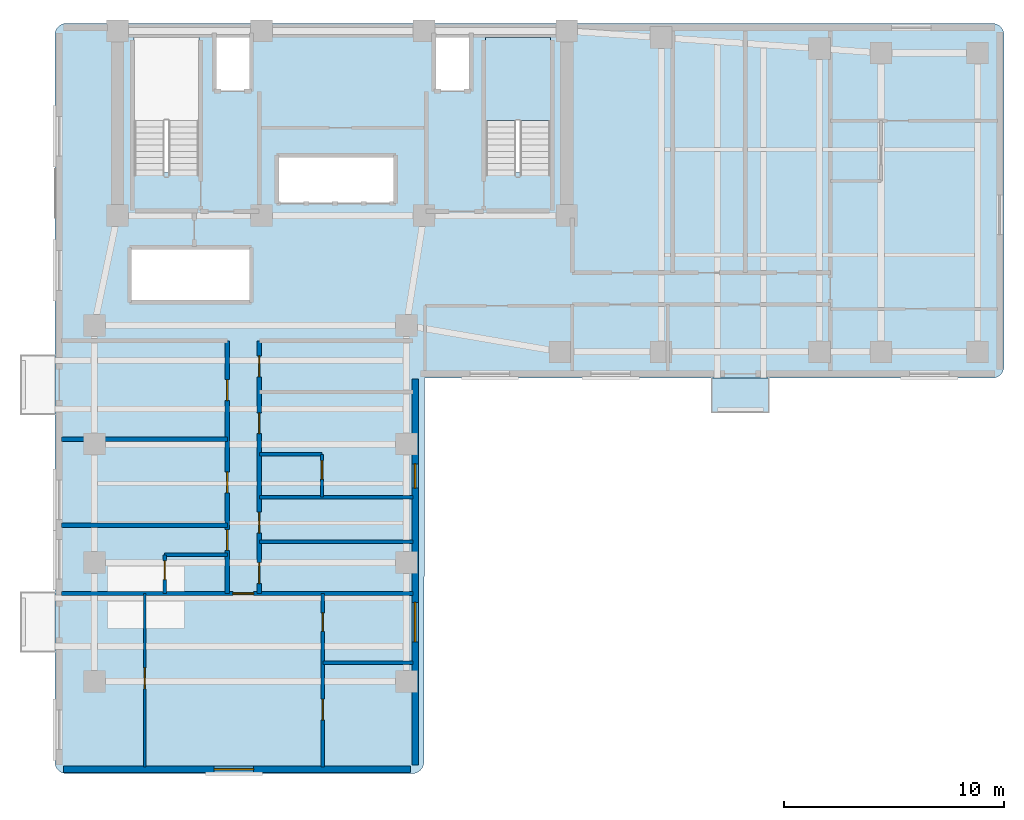
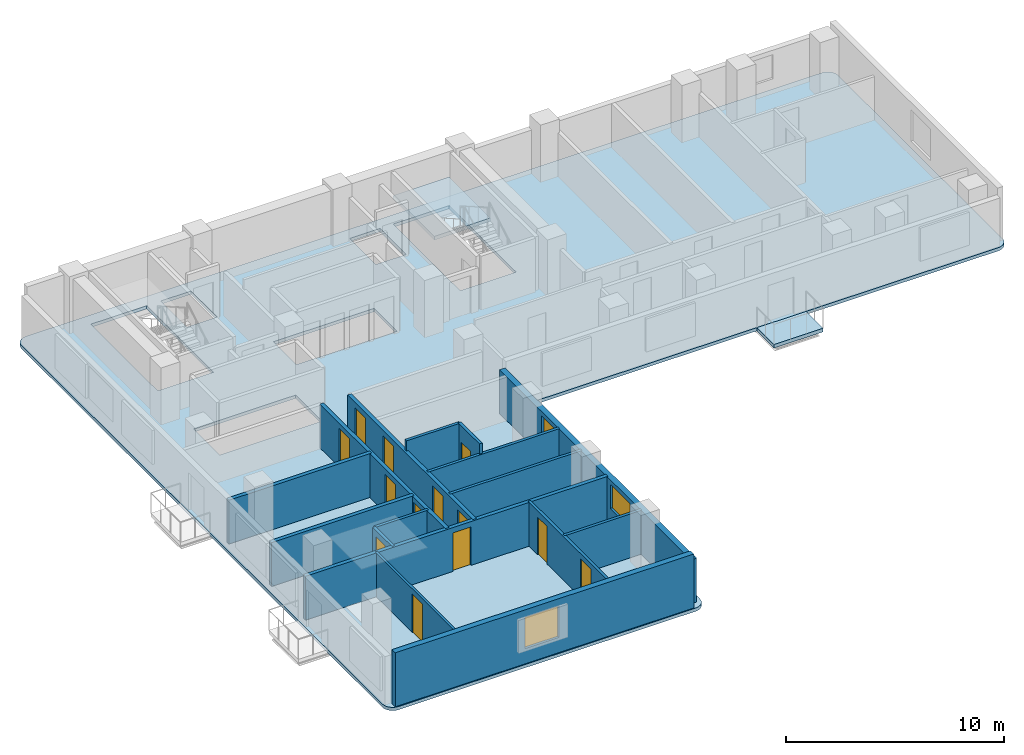
# One storey, part 2 of 7: 16 walls, 13 doors, 3 slabs, 3 windows, 16 openings, 1 element without a shape of its own.
"""IFC4 building model written with IfcOpenShell, lengths in metres."""

from ifc_helpers import new_model, si_unit, direction, frame, frame_2d, origin, place, context, subcontext, project, spatial, polyline, rectangle, outline, extrude, material, layer, layer_set, type_object, element, fill, aggregate, save


model = new_model("IFC4")

# Units and contexts
model_context = context("Model", 3, precision=1e-05, world=origin(), true_north=direction((0.0, 1.0)))
body_context = subcontext(model_context, "Body", "Model", "MODEL_VIEW")
ifc_project = project(units=[si_unit("LENGTHUNIT", "METRE"), si_unit("AREAUNIT", "SQUARE_METRE"), si_unit("VOLUMEUNIT", "CUBIC_METRE"), si_unit("PLANEANGLEUNIT", "RADIAN"), si_unit("MASSUNIT", "GRAM", prefix="KILO")], contexts=[model_context])

# Site, building, storey
site_placement = place(None, origin())
site = spatial("IfcSite", under=ifc_project, at=site_placement, CompositionType="ELEMENT")
building_placement = place(site_placement, origin())
building = spatial("IfcBuilding", under=site, at=building_placement, Name="Kuzgunbayir Cultural Tower", CompositionType="ELEMENT")
storey_placement = place(building_placement, frame((0.0, 0.0, 145.800048828125)))
storey = spatial("IfcBuildingStorey", under=building, at=storey_placement, Name="L42", CompositionType="ELEMENT", Elevation=145.800048828125)

# Slab
ifc_material_1 = material(Name="Concrete C40/50", Category="concrete")
ifc_layer_1 = layer(ifc_material_1, 0.199951171875)
ifc_layer_set_1 = layer_set([ifc_layer_1], Name="Concrete C40/50")
slab_type_1 = type_object("IfcSlabType", Name="SLB-BAL-STONE", PredefinedType="FLOOR", material=ifc_layer_set_1)
slab_1_placement = place(storey_placement, frame((0.0, 0.0, -0.199951171875)))
element("IfcSlab", 1, at=slab_1_placement, inside=storey, type_object=slab_type_1, Name="L42 Projecting Limestone Balcony BAL-L42-WB2", PredefinedType="FLOOR", context=body_context, shape_type="SweptSolid", body=[
    extrude(outline(polyline([(33.5, 24.840087890625), (36.10009765625, 24.840087890625), (36.10009765625, 26.39990234375), (33.5, 26.39990234375), (33.5, 24.840087890625)])), origin(), (0.0, 0.0, 1.0), 0.199951171875),
])

# Stair, slab
stair_type = type_object("IfcStairType", Name="STR-EXIT-CORE", PredefinedType="HALF_TURN_STAIR", material=ifc_material_1)
stair_placement = place(storey_placement, origin())
stair = element("IfcStair", 2, at=stair_placement, inside=storey, type_object=stair_type, Name="L42 ST-2", PredefinedType="HALF_TURN_STAIR")
ifc_layer_2 = layer(ifc_material_1, 0.179931640625)
ifc_layer_set_2 = layer_set([ifc_layer_2], Name="Concrete C40/50")
slab_type_2 = type_object("IfcSlabType", Name="SLB-LANDING-180", PredefinedType="LANDING", material=ifc_layer_set_2)
slab_2_placement = place(storey_placement, frame((0.0, 0.0, 1.39990234375)))
slab_2 = element("IfcSlab", 3, at=slab_2_placement, type_object=slab_type_2, Name="ST-2 landing 1", PredefinedType="LANDING", context=body_context, shape_type="SweptSolid", body=[
    extrude(outline(polyline([(26.159912109375, 38.1201171875), (26.159912109375, 41.89990234375), (23.199951171875, 41.89990234375), (23.199951171875, 38.1201171875), (26.159912109375, 38.1201171875)])), origin(), (0.0, 0.0, 1.0), 0.199951171875),
])
aggregate(stair, [slab_2])

# Slab
ifc_layer_3 = layer(ifc_material_1, 0.179931640625)
ifc_layer_set_3 = layer_set([ifc_layer_3], Name="Concrete C40/50")
slab_type_3 = type_object("IfcSlabType", Name="SLB-TYP-180", PredefinedType="FLOOR", material=ifc_layer_set_3)
slab_3_placement = place(storey_placement, frame((0.0, 0.0, -0.179931640625)))
element("IfcSlab", 4, at=slab_3_placement, inside=storey, type_object=slab_type_3, Name="L42 Tower 1 Floor Slab T1-MAIN", PredefinedType="FLOOR", context=body_context, shape_type="SweptSolid", body=[
    extrude(outline(polyline([(20.39990234375, 8.949951171875), (20.389892578125, 8.840087890625), (20.360107421875, 8.739990234375), (20.31005859375, 8.639892578125), (20.239990234375, 8.56005859375), (20.159912109375, 8.489990234375), (20.06005859375, 8.43994140625), (19.9599609375, 8.409912109375), (19.85009765625, 8.39990234375), (4.14990234375, 8.39990234375), (4.0400390625, 8.409912109375), (3.93994140625, 8.43994140625), (3.840087890625, 8.489990234375), (3.760009765625, 8.56005859375), (3.68994140625, 8.639892578125), (3.639892578125, 8.739990234375), (3.610107421875, 8.840087890625), (3.60009765625, 8.949951171875), (3.60009765625, 42.0), (3.610107421875, 42.110107421875), (3.639892578125, 42.2099609375), (3.68994140625, 42.31005859375), (3.760009765625, 42.389892578125), (3.840087890625, 42.4599609375), (3.93994140625, 42.510009765625), (4.0400390625, 42.5400390625), (4.14990234375, 42.550048828125), (46.25, 42.550048828125), (46.360107421875, 42.5400390625), (46.4599609375, 42.510009765625), (46.56005859375, 42.4599609375), (46.639892578125, 42.389892578125), (46.7099609375, 42.31005859375), (46.760009765625, 42.2099609375), (46.7900390625, 42.110107421875), (46.800048828125, 42.0), (46.800048828125, 26.949951171875), (46.7900390625, 26.840087890625), (46.760009765625, 26.739990234375), (46.7099609375, 26.639892578125), (46.639892578125, 26.56005859375), (46.56005859375, 26.489990234375), (46.4599609375, 26.43994140625), (46.360107421875, 26.409912109375), (46.25, 26.39990234375), (20.429931640625, 26.39990234375), (20.39990234375, 8.949951171875)]), holes=[polyline([(7.199951171875, 35.760009765625), (7.199951171875, 41.89990234375), (10.159912109375, 41.89990234375), (10.159912109375, 35.760009765625), (7.199951171875, 35.760009765625)]), polyline([(23.199951171875, 35.760009765625), (23.199951171875, 41.89990234375), (26.159912109375, 41.89990234375), (26.159912109375, 35.760009765625), (23.199951171875, 35.760009765625)]), polyline([(13.75, 34.39990234375), (13.75, 36.5), (19.080078125, 36.5), (19.080078125, 34.39990234375), (13.75, 34.39990234375)]), polyline([(7.10009765625, 29.89990234375), (7.10009765625, 32.300048828125), (12.5, 32.300048828125), (12.5, 29.89990234375), (7.10009765625, 29.89990234375)]), polyline([(10.89990234375, 39.5), (10.89990234375, 41.89990234375), (12.5, 41.89990234375), (12.5, 39.5), (10.89990234375, 39.5)]), polyline([(20.89990234375, 39.5), (20.89990234375, 41.89990234375), (22.5, 41.89990234375), (22.5, 39.5), (20.89990234375, 39.5)])]), origin(), (0.0, 0.0, 1.0), 0.179931640625),
])

# Wall, opening, window
ifc_material_2 = material(Name="Anatolian Cream Limestone", Category="masonry")
ifc_layer_4 = layer(ifc_material_2, 0.300048828125)
ifc_layer_set_4 = layer_set([ifc_layer_4], Name="Anatolian Cream Limestone")
wall_type_1 = type_object("IfcWallType", Name="WAL-EXT-STONE-300", PredefinedType="STANDARD", material=ifc_layer_set_4)
wall_1_placement = place(storey_placement, frame((4.0, 8.60009765625, 0.0), z_axis=(0.0, 0.0, 1.0), x_axis=(1.0, 0.0, 0.0)))
wall_1 = element("IfcWall", 5, at=wall_1_placement, inside=storey, type_object=wall_type_1, Name="L42 Wing A South Limestone Wall", PredefinedType="STANDARD", context=body_context, shape_type="SweptSolid", body=[
    extrude(rectangle(XDim=15.800048828125, YDim=0.300048828125, at=frame_2d((7.89990234375, 0.0))), origin(), (0.0, 0.0, 1.0), 3.02001953125),
])
opening_1_placement = place(wall_1_placement, frame((6.85009765625, 0.0, 0.85009765625)))
opening_1 = element("IfcOpeningElement", 6, at=opening_1_placement, cuts=wall_1, Name="Opening WH-18", PredefinedType="OPENING", context=body_context, shape_type="SweptSolid", body=[
    extrude(rectangle(XDim=1.800048828125, YDim=1.75, at=frame_2d((0.89990234375, 0.875))), frame((0.0, 0.16015625, 0.0), z_axis=(0.0, -1.0, 0.0), x_axis=(1.0, 0.0, 0.0)), (0.0, 0.0, 1.0), 0.320068359375),
])
ifc_material_3 = material(Name="Solar-Control Triple Glazing", Category="glass")
window_type_1 = type_object("IfcWindowType", Name="WIN-HOTEL-18", PartitioningType="SINGLE_PANEL", PredefinedType="WINDOW", material=ifc_material_3)
window_1_placement = place(opening_1_placement, origin())
window_1 = element("IfcWindow", 7, at=window_1_placement, inside=storey, type_object=window_type_1, Name="L42 WAS Facade Window 2", OverallHeight=1.75, OverallWidth=1.800048828125, PartitioningType="SINGLE_PANEL", PredefinedType="WINDOW", context=body_context, shape_type="SweptSolid", body=[
    extrude(rectangle(XDim=1.800048828125, YDim=1.75, at=frame_2d((0.89990234375, 0.875))), frame((0.0, 0.030029296875, 0.0), z_axis=(0.0, -1.0, 0.0), x_axis=(1.0, 0.0, 0.0)), (0.0, 0.0, 1.0), 0.06005859375),
])
fill(opening_1, window_1)

# Wall, openings, windows
wall_2_placement = place(storey_placement, frame((20.0, 8.800048828125, 0.0), z_axis=(0.0, 0.0, 1.0), x_axis=(0.0, 1.0, 0.0)))
wall_2 = element("IfcWall", 8, at=wall_2_placement, inside=storey, type_object=wall_type_1, Name="L42 Wing A East Limestone Wall", PredefinedType="STANDARD", context=body_context, shape_type="SweptSolid", body=[
    extrude(rectangle(XDim=17.550048828125, YDim=0.300048828125, at=frame_2d((8.77490234375, 0.0))), origin(), (0.0, 0.0, 1.0), 2.449951171875),
])
opening_2_placement = place(wall_2_placement, frame((12.60009765625, 0.0, 0.85009765625)))
opening_2 = element("IfcOpeningElement", 9, at=opening_2_placement, cuts=wall_2, Name="Opening WN-11", PredefinedType="OPENING", context=body_context, shape_type="SweptSolid", body=[
    extrude(rectangle(XDim=1.10009765625, YDim=1.35009765625, at=frame_2d((0.550048828125, 0.675048828125))), frame((0.0, 0.16015625, 0.0), z_axis=(0.0, -1.0, 0.0), x_axis=(1.0, 0.0, 0.0)), (0.0, 0.0, 1.0), 0.320068359375),
])
opening_3_placement = place(wall_2_placement, frame((5.60009765625, 0.0, 0.85009765625)))
opening_3 = element("IfcOpeningElement", 10, at=opening_3_placement, cuts=wall_2, Name="Opening WH-18", PredefinedType="OPENING", context=body_context, shape_type="SweptSolid", body=[
    extrude(rectangle(XDim=1.800048828125, YDim=1.35009765625, at=frame_2d((0.89990234375, 0.675048828125))), frame((0.0, 0.16015625, 0.0), z_axis=(0.0, -1.0, 0.0), x_axis=(1.0, 0.0, 0.0)), (0.0, 0.0, 1.0), 0.320068359375),
])
window_2_placement = place(opening_3_placement, origin())
window_2 = element("IfcWindow", 11, at=window_2_placement, inside=storey, type_object=window_type_1, Name="L42 WAE Facade Window 10", OverallHeight=1.35009765625, OverallWidth=1.800048828125, PartitioningType="SINGLE_PANEL", PredefinedType="WINDOW", context=body_context, shape_type="SweptSolid", body=[
    extrude(rectangle(XDim=1.800048828125, YDim=1.35009765625, at=frame_2d((0.89990234375, 0.675048828125))), frame((0.0, 0.030029296875, 0.0), z_axis=(0.0, -1.0, 0.0), x_axis=(1.0, 0.0, 0.0)), (0.0, 0.0, 1.0), 0.06005859375),
])
fill(opening_3, window_2)
window_type_2 = type_object("IfcWindowType", Name="WIN-NARROW-11", PartitioningType="SINGLE_PANEL", PredefinedType="WINDOW", material=ifc_material_3)
window_3_placement = place(opening_2_placement, origin())
window_3 = element("IfcWindow", 12, at=window_3_placement, inside=storey, type_object=window_type_2, Name="L42 WAE Facade Window 3", OverallHeight=1.35009765625, OverallWidth=1.10009765625, PartitioningType="SINGLE_PANEL", PredefinedType="WINDOW", context=body_context, shape_type="SweptSolid", body=[
    extrude(rectangle(XDim=1.10009765625, YDim=1.35009765625, at=frame_2d((0.550048828125, 0.675048828125))), frame((0.0, 0.030029296875, 0.0), z_axis=(0.0, -1.0, 0.0), x_axis=(1.0, 0.0, 0.0)), (0.0, 0.0, 1.0), 0.06005859375),
])
fill(opening_2, window_3)

# Wall
ifc_material_4 = material(Name="Acoustic Double-Stud Drywall", Category="gypsum")
ifc_layer_5 = layer(ifc_material_4, 0.14990234375)
ifc_layer_set_5 = layer_set([ifc_layer_5], Name="Acoustic Double-Stud Drywall")
wall_type_2 = type_object("IfcWallType", Name="WAL-PART-ACOUSTIC-150", PredefinedType="PARTITIONING", material=ifc_layer_set_5)
wall_3_placement = place(storey_placement, frame((12.909912109375, 18.949951171875, 0.0), z_axis=(0.0, 0.0, 1.0), x_axis=(1.0, 0.0, 0.0)))
element("IfcWall", 13, at=wall_3_placement, inside=storey, type_object=wall_type_2, Name="L42 Housekeeping North Wall", PredefinedType="PARTITIONING", context=body_context, shape_type="SweptSolid", body=[
    extrude(rectangle(XDim=6.989990234375, YDim=0.14990234375, at=frame_2d((3.4951171875, 0.0))), origin(), (0.0, 0.0, 1.0), 2.449951171875),
])

# Wall, openings, doors
ifc_material_5 = material(Name="Aerated Concrete Blockwork", Category="masonry")
ifc_layer_6 = layer(ifc_material_5, 0.199951171875)
ifc_layer_set_6 = layer_set([ifc_layer_6], Name="Aerated Concrete Blockwork")
wall_type_3 = type_object("IfcWallType", Name="WAL-PART-FIRE-200", PredefinedType="PARTITIONING", material=ifc_layer_set_6)
wall_4_placement = place(storey_placement, frame((11.449951171875, 16.60009765625, 0.0), z_axis=(0.0, 0.0, 1.0), x_axis=(0.0, 1.0, 0.0)))
wall_4 = element("IfcWall", 14, at=wall_4_placement, inside=storey, type_object=wall_type_3, Name="L42 Wing A West Corridor Wall", PredefinedType="PARTITIONING", context=body_context, shape_type="SweptSolid", body=[
    extrude(rectangle(XDim=11.5, YDim=0.199951171875, at=frame_2d((5.75, 0.0))), origin(), (0.0, 0.0, 1.0), 2.449951171875),
])
opening_4_placement = place(wall_4_placement, frame((1.9599609375, 0.0, 0.0)))
opening_4 = element("IfcOpeningElement", 15, at=opening_4_placement, cuts=wall_4, Name="Opening DR-APT-60", PredefinedType="OPENING", context=body_context, shape_type="SweptSolid", body=[
    extrude(rectangle(XDim=0.949951171875, YDim=2.14990234375, at=frame_2d((0.47509765625, 1.074951171875))), frame((0.0, 0.10986328125, 0.0), z_axis=(0.0, -1.0, 0.0), x_axis=(1.0, 0.0, 0.0)), (0.0, 0.0, 1.0), 0.219970703125),
])
opening_5_placement = place(wall_4_placement, frame((4.580078125, 0.0, 0.0)))
opening_5 = element("IfcOpeningElement", 16, at=opening_5_placement, cuts=wall_4, Name="Opening DI-90", PredefinedType="OPENING", context=body_context, shape_type="SweptSolid", body=[
    extrude(rectangle(XDim=0.949951171875, YDim=2.14990234375, at=frame_2d((0.47509765625, 1.074951171875))), frame((0.0, 0.10986328125, 0.0), z_axis=(0.0, -1.0, 0.0), x_axis=(1.0, 0.0, 0.0)), (0.0, 0.0, 1.0), 0.219970703125),
])
opening_6_placement = place(wall_4_placement, frame((8.780029296875, 0.0, 0.0)))
opening_6 = element("IfcOpeningElement", 17, at=opening_6_placement, cuts=wall_4, Name="Opening DI-90", PredefinedType="OPENING", context=body_context, shape_type="SweptSolid", body=[
    extrude(rectangle(XDim=0.949951171875, YDim=2.14990234375, at=frame_2d((0.47509765625, 1.074951171875))), frame((0.0, 0.10986328125, 0.0), z_axis=(0.0, -1.0, 0.0), x_axis=(1.0, 0.0, 0.0)), (0.0, 0.0, 1.0), 0.219970703125),
])
ifc_material_6 = material(Name="Acoustic Fire Timber Leaf", Category="wood")
door_type_1 = type_object("IfcDoorType", Name="DR-APT-60", OperationType="NOTDEFINED", PredefinedType="DOOR", material=ifc_material_6)
door_1_placement = place(opening_4_placement, origin())
door_1 = element("IfcDoor", 18, at=door_1_placement, inside=storey, type_object=door_type_1, Name="L42 Guest Suite W1 Entrance", OperationType="SINGLE_SWING_LEFT", OverallHeight=2.14990234375, OverallWidth=0.949951171875, PredefinedType="DOOR", context=body_context, shape_type="SweptSolid", body=[
    extrude(rectangle(XDim=0.949951171875, YDim=2.14990234375, at=frame_2d((0.47509765625, 1.074951171875))), frame((0.0, 0.02490234375, 0.0), z_axis=(0.0, -1.0, 0.0), x_axis=(1.0, 0.0, 0.0)), (0.0, 0.0, 1.0), 0.050048828125),
])
fill(opening_4, door_1)
ifc_material_7 = material(Name="Veneered Oak Single Leaf", Category="wood")
door_type_2 = type_object("IfcDoorType", Name="DR-INT-90", OperationType="NOTDEFINED", PredefinedType="DOOR", material=ifc_material_7)
door_2_placement = place(opening_5_placement, origin())
door_2 = element("IfcDoor", 19, at=door_2_placement, inside=storey, type_object=door_type_2, Name="L42 Curatorial Office 2 Door", OperationType="SINGLE_SWING_RIGHT", OverallHeight=2.14990234375, OverallWidth=0.949951171875, PredefinedType="DOOR", context=body_context, shape_type="SweptSolid", body=[
    extrude(rectangle(XDim=0.949951171875, YDim=2.14990234375, at=frame_2d((0.47509765625, 1.074951171875))), frame((0.0, 0.02490234375, 0.0), z_axis=(0.0, -1.0, 0.0), x_axis=(1.0, 0.0, 0.0)), (0.0, 0.0, 1.0), 0.050048828125),
])
fill(opening_5, door_2)
door_3_placement = place(opening_6_placement, origin())
door_3 = element("IfcDoor", 20, at=door_3_placement, inside=storey, type_object=door_type_2, Name="L42 Curatorial Office 3 Door", OperationType="SINGLE_SWING_LEFT", OverallHeight=2.14990234375, OverallWidth=0.949951171875, PredefinedType="DOOR", context=body_context, shape_type="SweptSolid", body=[
    extrude(rectangle(XDim=0.949951171875, YDim=2.14990234375, at=frame_2d((0.47509765625, 1.074951171875))), frame((0.0, 0.02490234375, 0.0), z_axis=(0.0, -1.0, 0.0), x_axis=(1.0, 0.0, 0.0)), (0.0, 0.0, 1.0), 0.050048828125),
])
fill(opening_6, door_3)

wall_5_placement = place(storey_placement, frame((12.909912109375, 16.60009765625, 0.0), z_axis=(0.0, 0.0, 1.0), x_axis=(0.0, 1.0, 0.0)))
wall_5 = element("IfcWall", 21, at=wall_5_placement, inside=storey, type_object=wall_type_3, Name="L42 Wing A East Corridor Wall", PredefinedType="PARTITIONING", context=body_context, shape_type="SweptSolid", body=[
    extrude(rectangle(XDim=11.5, YDim=0.199951171875, at=frame_2d((5.75, 0.0))), origin(), (0.0, 0.0, 1.0), 2.449951171875),
])
opening_7_placement = place(wall_5_placement, frame((0.449951171875, 0.0, 0.0)))
opening_7 = element("IfcOpeningElement", 22, at=opening_7_placement, cuts=wall_5, Name="Opening DI-90", PredefinedType="OPENING", context=body_context, shape_type="SweptSolid", body=[
    extrude(rectangle(XDim=0.949951171875, YDim=2.14990234375, at=frame_2d((0.47509765625, 1.074951171875))), frame((0.0, 0.10986328125, 0.0), z_axis=(0.0, -1.0, 0.0), x_axis=(1.0, 0.0, 0.0)), (0.0, 0.0, 1.0), 0.219970703125),
])
opening_8_placement = place(wall_5_placement, frame((2.75, 0.0, 0.0)))
opening_8 = element("IfcOpeningElement", 23, at=opening_8_placement, cuts=wall_5, Name="Opening DW-95", PredefinedType="OPENING", context=body_context, shape_type="SweptSolid", body=[
    extrude(rectangle(XDim=0.949951171875, YDim=2.10009765625, at=frame_2d((0.47509765625, 1.050048828125))), frame((0.0, 0.10986328125, 0.0), z_axis=(0.0, -1.0, 0.0), x_axis=(1.0, 0.0, 0.0)), (0.0, 0.0, 1.0), 0.219970703125),
])
opening_9_placement = place(wall_5_placement, frame((9.860107421875, 0.0, 0.0)))
opening_9 = element("IfcOpeningElement", 24, at=opening_9_placement, cuts=wall_5, Name="Opening DI-90", PredefinedType="OPENING", context=body_context, shape_type="SweptSolid", body=[
    extrude(rectangle(XDim=0.949951171875, YDim=2.14990234375, at=frame_2d((0.47509765625, 1.074951171875))), frame((0.0, 0.10986328125, 0.0), z_axis=(0.0, -1.0, 0.0), x_axis=(1.0, 0.0, 0.0)), (0.0, 0.0, 1.0), 0.219970703125),
])
opening_10_placement = place(wall_5_placement, frame((7.27001953125, 0.0, 0.0)))
opening_10 = element("IfcOpeningElement", 25, at=opening_10_placement, cuts=wall_5, Name="Opening DR-APT-60", PredefinedType="OPENING", context=body_context, shape_type="SweptSolid", body=[
    extrude(rectangle(XDim=0.949951171875, YDim=2.14990234375, at=frame_2d((0.47509765625, 1.074951171875))), frame((0.0, 0.10986328125, 0.0), z_axis=(0.0, -1.0, 0.0), x_axis=(1.0, 0.0, 0.0)), (0.0, 0.0, 1.0), 0.219970703125),
])
door_4_placement = place(opening_10_placement, origin())
door_4 = element("IfcDoor", 26, at=door_4_placement, inside=storey, type_object=door_type_1, Name="L42 Guest Suite E1 Entrance", OperationType="SINGLE_SWING_RIGHT", OverallHeight=2.14990234375, OverallWidth=0.949951171875, PredefinedType="DOOR", context=body_context, shape_type="SweptSolid", body=[
    extrude(rectangle(XDim=0.949951171875, YDim=2.14990234375, at=frame_2d((0.47509765625, 1.074951171875))), frame((0.0, 0.02490234375, 0.0), z_axis=(0.0, -1.0, 0.0), x_axis=(1.0, 0.0, 0.0)), (0.0, 0.0, 1.0), 0.050048828125),
])
fill(opening_10, door_4)
door_5_placement = place(opening_7_placement, origin())
door_5 = element("IfcDoor", 27, at=door_5_placement, inside=storey, type_object=door_type_2, Name="L42 Housekeeping Room Door", OperationType="SINGLE_SWING_RIGHT", OverallHeight=2.14990234375, OverallWidth=0.949951171875, PredefinedType="DOOR", context=body_context, shape_type="SweptSolid", body=[
    extrude(rectangle(XDim=0.949951171875, YDim=2.14990234375, at=frame_2d((0.47509765625, 1.074951171875))), frame((0.0, 0.02490234375, 0.0), z_axis=(0.0, -1.0, 0.0), x_axis=(1.0, 0.0, 0.0)), (0.0, 0.0, 1.0), 0.050048828125),
])
fill(opening_7, door_5)
door_6_placement = place(opening_9_placement, origin())
door_6 = element("IfcDoor", 28, at=door_6_placement, inside=storey, type_object=door_type_2, Name="L42 Curatorial Office E1 Door", OperationType="SINGLE_SWING_RIGHT", OverallHeight=2.14990234375, OverallWidth=0.949951171875, PredefinedType="DOOR", context=body_context, shape_type="SweptSolid", body=[
    extrude(rectangle(XDim=0.949951171875, YDim=2.14990234375, at=frame_2d((0.47509765625, 1.074951171875))), frame((0.0, 0.02490234375, 0.0), z_axis=(0.0, -1.0, 0.0), x_axis=(1.0, 0.0, 0.0)), (0.0, 0.0, 1.0), 0.050048828125),
])
fill(opening_9, door_6)
ifc_material_8 = material(Name="Laminate Moisture-Resistant Leaf", Category="wood")
door_type_3 = type_object("IfcDoorType", Name="DR-WET-95", OperationType="NOTDEFINED", PredefinedType="DOOR", material=ifc_material_8)
door_7_placement = place(opening_8_placement, origin())
door_7 = element("IfcDoor", 29, at=door_7_placement, inside=storey, type_object=door_type_3, Name="L42 Accessible WC Door", OperationType="SINGLE_SWING_LEFT", OverallHeight=2.10009765625, OverallWidth=0.949951171875, PredefinedType="DOOR", context=body_context, shape_type="SweptSolid", body=[
    extrude(rectangle(XDim=0.949951171875, YDim=2.10009765625, at=frame_2d((0.47509765625, 1.050048828125))), frame((0.0, 0.02490234375, 0.0), z_axis=(0.0, -1.0, 0.0), x_axis=(1.0, 0.0, 0.0)), (0.0, 0.0, 1.0), 0.050048828125),
])
fill(opening_8, door_7)

# Wall, opening, door
wall_6_placement = place(storey_placement, frame((3.89990234375, 16.60009765625, 0.0), z_axis=(0.0, 0.0, 1.0), x_axis=(1.0, 0.0, 0.0)))
wall_6 = element("IfcWall", 30, at=wall_6_placement, inside=storey, type_object=wall_type_3, Name="L42 South Cross Partition", PredefinedType="PARTITIONING", context=body_context, shape_type="SweptSolid", body=[
    extrude(rectangle(XDim=16.0, YDim=0.199951171875, at=frame_2d((8.0, 0.0))), origin(), (0.0, 0.0, 1.0), 2.449951171875),
])
opening_11_placement = place(wall_6_placement, frame((7.800048828125, 0.0, 0.0)))
opening_11 = element("IfcOpeningElement", 31, at=opening_11_placement, cuts=wall_6, Name="Opening DR-APT-60", PredefinedType="OPENING", context=body_context, shape_type="SweptSolid", body=[
    extrude(rectangle(XDim=0.949951171875, YDim=2.14990234375, at=frame_2d((0.47509765625, 1.074951171875))), frame((0.0, 0.10986328125, 0.0), z_axis=(0.0, -1.0, 0.0), x_axis=(1.0, 0.0, 0.0)), (0.0, 0.0, 1.0), 0.219970703125),
])
door_8_placement = place(opening_11_placement, origin())
door_8 = element("IfcDoor", 32, at=door_8_placement, inside=storey, type_object=door_type_1, Name="L42 Diplomatic Suite Entrance", OperationType="SINGLE_SWING_RIGHT", OverallHeight=2.14990234375, OverallWidth=0.949951171875, PredefinedType="DOOR", context=body_context, shape_type="SweptSolid", body=[
    extrude(rectangle(XDim=0.949951171875, YDim=2.14990234375, at=frame_2d((0.47509765625, 1.074951171875))), frame((0.0, 0.02490234375, 0.0), z_axis=(0.0, -1.0, 0.0), x_axis=(1.0, 0.0, 0.0)), (0.0, 0.0, 1.0), 0.050048828125),
])
fill(opening_11, door_8)

# Walls
for number, where, z_axis, x_axis, name in (
    (33, (3.89990234375, 19.7099609375, 0.0), (0.0, 0.0, 1.0), (1.0, 0.0, 0.0), "L42 West Party Wall 1"),
    (34, (3.89990234375, 23.6201171875, 0.0), (0.0, 0.0, 1.0), (1.0, 0.0, 0.0), "L42 West Party Wall 2"),
):
    element("IfcWall", number, at=place(storey_placement, frame(where, z_axis=z_axis, x_axis=x_axis)), inside=storey, type_object=wall_type_3, Name=name, PredefinedType="PARTITIONING", context=body_context, shape_type="SweptSolid", body=[
        extrude(rectangle(XDim=7.550048828125, YDim=0.199951171875, at=frame_2d((3.77490234375, 0.0))), origin(), (0.0, 0.0, 1.0), 2.449951171875),
    ])

# Wall, opening, door
ifc_material_9 = material(Name="Framed Gypsum Partition", Category="gypsum")
ifc_layer_7 = layer(ifc_material_9, 0.1201171875)
ifc_layer_set_7 = layer_set([ifc_layer_7], Name="Framed Gypsum Partition")
wall_type_4 = type_object("IfcWallType", Name="WAL-PART-INT-120", PredefinedType="PARTITIONING", material=ifc_layer_set_7)
wall_7_placement = place(storey_placement, frame((7.699951171875, 8.699951171875, 0.0), z_axis=(0.0, 0.0, 1.0), x_axis=(0.0, 1.0, 0.0)))
wall_7 = element("IfcWall", 35, at=wall_7_placement, inside=storey, type_object=wall_type_4, Name="L42 Diplomatic Suite Bedroom Wall", PredefinedType="PARTITIONING", context=body_context, shape_type="SweptSolid", body=[
    extrude(rectangle(XDim=7.900146484375, YDim=0.1201171875, at=frame_2d((3.9501953125, 0.0))), origin(), (0.0, 0.0, 1.0), 2.449951171875),
])
opening_12_placement = place(wall_7_placement, frame((3.56005859375, 0.0, 0.0)))
opening_12 = element("IfcOpeningElement", 36, at=opening_12_placement, cuts=wall_7, Name="Opening DI-90", PredefinedType="OPENING", context=body_context, shape_type="SweptSolid", body=[
    extrude(rectangle(XDim=0.949951171875, YDim=2.14990234375, at=frame_2d((0.47509765625, 1.074951171875))), frame((0.0, 0.070068359375, 0.0), z_axis=(0.0, -1.0, 0.0), x_axis=(1.0, 0.0, 0.0)), (0.0, 0.0, 1.0), 0.14013671875),
])
door_9_placement = place(opening_12_placement, origin())
door_9 = element("IfcDoor", 37, at=door_9_placement, inside=storey, type_object=door_type_2, Name="L42 Diplomatic Bedroom Door", OperationType="SINGLE_SWING_LEFT", OverallHeight=2.14990234375, OverallWidth=0.949951171875, PredefinedType="DOOR", context=body_context, shape_type="SweptSolid", body=[
    extrude(rectangle(XDim=0.949951171875, YDim=2.14990234375, at=frame_2d((0.47509765625, 1.074951171875))), frame((0.0, 0.02490234375, 0.0), z_axis=(0.0, -1.0, 0.0), x_axis=(1.0, 0.0, 0.0)), (0.0, 0.0, 1.0), 0.050048828125),
])
fill(opening_12, door_9)

# Wall
ifc_material_10 = material(Name="Moisture-Resistant Tile Partition", Category="gypsum")
ifc_layer_8 = layer(ifc_material_10, 0.14990234375)
ifc_layer_set_8 = layer_set([ifc_layer_8], Name="Moisture-Resistant Tile Partition")
wall_type_5 = type_object("IfcWallType", Name="WAL-PART-WET-150", PredefinedType="PARTITIONING", material=ifc_layer_set_8)
wall_8_placement = place(storey_placement, frame((8.60009765625, 18.360107421875, 0.0), z_axis=(0.0, 0.0, 1.0), x_axis=(1.0, 0.0, 0.0)))
element("IfcWall", 38, at=wall_8_placement, inside=storey, type_object=wall_type_5, Name="L42 Suite W1 En-Suite North Wall", PredefinedType="PARTITIONING", context=body_context, shape_type="SweptSolid", body=[
    extrude(rectangle(XDim=2.849853515625, YDim=0.14990234375, at=frame_2d((1.4248046875, 0.0))), origin(), (0.0, 0.0, 1.0), 2.449951171875),
])

# Wall, opening, door
wall_9_placement = place(storey_placement, frame((8.60009765625, 16.60009765625, 0.0), z_axis=(0.0, 0.0, 1.0), x_axis=(0.0, 1.0, 0.0)))
wall_9 = element("IfcWall", 39, at=wall_9_placement, inside=storey, type_object=wall_type_5, Name="L42 Suite W1 En-Suite West Wall", PredefinedType="PARTITIONING", context=body_context, shape_type="SweptSolid", body=[
    extrude(rectangle(XDim=1.760009765625, YDim=0.14990234375, at=frame_2d((0.8798828125, 0.0))), origin(), (0.0, 0.0, 1.0), 2.449951171875),
])
opening_13_placement = place(wall_9_placement, frame((0.6298828125, 0.0, 0.0)))
opening_13 = element("IfcOpeningElement", 40, at=opening_13_placement, cuts=wall_9, Name="Opening DW-85", PredefinedType="OPENING", context=body_context, shape_type="SweptSolid", body=[
    extrude(rectangle(XDim=0.85009765625, YDim=2.10009765625, at=frame_2d((0.425048828125, 1.050048828125))), frame((0.0, 0.0849609375, 0.0), z_axis=(0.0, -1.0, 0.0), x_axis=(1.0, 0.0, 0.0)), (0.0, 0.0, 1.0), 0.169921875),
])
door_type_4 = type_object("IfcDoorType", Name="DR-WET-85", OperationType="NOTDEFINED", PredefinedType="DOOR", material=ifc_material_8)
door_10_placement = place(opening_13_placement, origin())
door_10 = element("IfcDoor", 41, at=door_10_placement, inside=storey, type_object=door_type_4, Name="L42 Suite W1 En-Suite Door", OperationType="SINGLE_SWING_RIGHT", OverallHeight=2.10009765625, OverallWidth=0.85009765625, PredefinedType="DOOR", context=body_context, shape_type="SweptSolid", body=[
    extrude(rectangle(XDim=0.85009765625, YDim=2.10009765625, at=frame_2d((0.425048828125, 1.050048828125))), frame((0.0, 0.02490234375, 0.0), z_axis=(0.0, -1.0, 0.0), x_axis=(1.0, 0.0, 0.0)), (0.0, 0.0, 1.0), 0.050048828125),
])
fill(opening_13, door_10)

# Wall, openings, doors
wall_10_placement = place(storey_placement, frame((15.800048828125, 8.699951171875, 0.0), z_axis=(0.0, 0.0, 1.0), x_axis=(0.0, 1.0, 0.0)))
wall_10 = element("IfcWall", 42, at=wall_10_placement, inside=storey, type_object=wall_type_5, Name="L42 Diplomatic Suite Service Wall", PredefinedType="PARTITIONING", context=body_context, shape_type="SweptSolid", body=[
    extrude(rectangle(XDim=7.900146484375, YDim=0.14990234375, at=frame_2d((3.9501953125, 0.0))), origin(), (0.0, 0.0, 1.0), 2.449951171875),
])
opening_14_placement = place(wall_10_placement, frame((2.139892578125, 0.0, 0.0)))
opening_14 = element("IfcOpeningElement", 43, at=opening_14_placement, cuts=wall_10, Name="Opening DI-90", PredefinedType="OPENING", context=body_context, shape_type="SweptSolid", body=[
    extrude(rectangle(XDim=0.949951171875, YDim=2.14990234375, at=frame_2d((0.47509765625, 1.074951171875))), frame((0.0, 0.0849609375, 0.0), z_axis=(0.0, -1.0, 0.0), x_axis=(1.0, 0.0, 0.0)), (0.0, 0.0, 1.0), 0.169921875),
])
opening_15_placement = place(wall_10_placement, frame((6.169921875, 0.0, 0.0)))
opening_15 = element("IfcOpeningElement", 44, at=opening_15_placement, cuts=wall_10, Name="Opening DW-85", PredefinedType="OPENING", context=body_context, shape_type="SweptSolid", body=[
    extrude(rectangle(XDim=0.85009765625, YDim=2.10009765625, at=frame_2d((0.425048828125, 1.050048828125))), frame((0.0, 0.0849609375, 0.0), z_axis=(0.0, -1.0, 0.0), x_axis=(1.0, 0.0, 0.0)), (0.0, 0.0, 1.0), 0.169921875),
])
door_11_placement = place(opening_14_placement, origin())
door_11 = element("IfcDoor", 45, at=door_11_placement, inside=storey, type_object=door_type_2, Name="L42 Diplomatic Kitchen Door", OperationType="SINGLE_SWING_RIGHT", OverallHeight=2.14990234375, OverallWidth=0.949951171875, PredefinedType="DOOR", context=body_context, shape_type="SweptSolid", body=[
    extrude(rectangle(XDim=0.949951171875, YDim=2.14990234375, at=frame_2d((0.47509765625, 1.074951171875))), frame((0.0, 0.02490234375, 0.0), z_axis=(0.0, -1.0, 0.0), x_axis=(1.0, 0.0, 0.0)), (0.0, 0.0, 1.0), 0.050048828125),
])
fill(opening_14, door_11)
door_12_placement = place(opening_15_placement, origin())
door_12 = element("IfcDoor", 46, at=door_12_placement, inside=storey, type_object=door_type_4, Name="L42 Diplomatic Bathroom Door", OperationType="SINGLE_SWING_LEFT", OverallHeight=2.10009765625, OverallWidth=0.85009765625, PredefinedType="DOOR", context=body_context, shape_type="SweptSolid", body=[
    extrude(rectangle(XDim=0.85009765625, YDim=2.10009765625, at=frame_2d((0.425048828125, 1.050048828125))), frame((0.0, 0.02490234375, 0.0), z_axis=(0.0, -1.0, 0.0), x_axis=(1.0, 0.0, 0.0)), (0.0, 0.0, 1.0), 0.050048828125),
])
fill(opening_15, door_12)

# Walls
wall_11_placement = place(storey_placement, frame((15.800048828125, 13.449951171875, 0.0), z_axis=(0.0, 0.0, 1.0), x_axis=(1.0, 0.0, 0.0)))
element("IfcWall", 47, at=wall_11_placement, inside=storey, type_object=wall_type_5, Name="L42 Diplomatic Suite Bath Kitchen Divider", PredefinedType="PARTITIONING", context=body_context, shape_type="SweptSolid", body=[
    extrude(rectangle(XDim=4.099853515625, YDim=0.14990234375, at=frame_2d((2.0498046875, 0.0))), origin(), (0.0, 0.0, 1.0), 2.449951171875),
])
wall_12_placement = place(storey_placement, frame((12.909912109375, 20.97998046875, 0.0), z_axis=(0.0, 0.0, 1.0), x_axis=(1.0, 0.0, 0.0)))
element("IfcWall", 48, at=wall_12_placement, inside=storey, type_object=wall_type_5, Name="L42 Accessible WC North Wall", PredefinedType="PARTITIONING", context=body_context, shape_type="SweptSolid", body=[
    extrude(rectangle(XDim=6.989990234375, YDim=0.14990234375, at=frame_2d((3.4951171875, 0.0))), origin(), (0.0, 0.0, 1.0), 2.449951171875),
])
wall_13_placement = place(storey_placement, frame((12.909912109375, 22.929931640625, 0.0), z_axis=(0.0, 0.0, 1.0), x_axis=(1.0, 0.0, 0.0)))
element("IfcWall", 49, at=wall_13_placement, inside=storey, type_object=wall_type_5, Name="L42 Suite E1 En-Suite North Wall", PredefinedType="PARTITIONING", context=body_context, shape_type="SweptSolid", body=[
    extrude(rectangle(XDim=2.85009765625, YDim=0.14990234375, at=frame_2d((1.425048828125, 0.0))), origin(), (0.0, 0.0, 1.0), 3.02001953125),
])

# Wall, opening, door
wall_14_placement = place(storey_placement, frame((15.760009765625, 20.97998046875, 0.0), z_axis=(0.0, 0.0, 1.0), x_axis=(0.0, 1.0, 0.0)))
wall_14 = element("IfcWall", 50, at=wall_14_placement, inside=storey, type_object=wall_type_5, Name="L42 Suite E1 En-Suite East Wall", PredefinedType="PARTITIONING", context=body_context, shape_type="SweptSolid", body=[
    extrude(rectangle(XDim=1.949951171875, YDim=0.14990234375, at=frame_2d((0.97509765625, 0.0))), origin(), (0.0, 0.0, 1.0), 3.02001953125),
])
opening_16_placement = place(wall_14_placement, frame((0.820068359375, 0.0, 0.0)))
opening_16 = element("IfcOpeningElement", 51, at=opening_16_placement, cuts=wall_14, Name="Opening DW-85", PredefinedType="OPENING", context=body_context, shape_type="SweptSolid", body=[
    extrude(rectangle(XDim=0.85009765625, YDim=2.10009765625, at=frame_2d((0.425048828125, 1.050048828125))), frame((0.0, 0.0849609375, 0.0), z_axis=(0.0, -1.0, 0.0), x_axis=(1.0, 0.0, 0.0)), (0.0, 0.0, 1.0), 0.169921875),
])
door_13_placement = place(opening_16_placement, origin())
door_13 = element("IfcDoor", 52, at=door_13_placement, inside=storey, type_object=door_type_4, Name="L42 Suite E1 En-Suite Door", OperationType="SINGLE_SWING_LEFT", OverallHeight=2.10009765625, OverallWidth=0.85009765625, PredefinedType="DOOR", context=body_context, shape_type="SweptSolid", body=[
    extrude(rectangle(XDim=0.85009765625, YDim=2.10009765625, at=frame_2d((0.425048828125, 1.050048828125))), frame((0.0, 0.02490234375, 0.0), z_axis=(0.0, -1.0, 0.0), x_axis=(1.0, 0.0, 0.0)), (0.0, 0.0, 1.0), 0.050048828125),
])
fill(opening_16, door_13)

save(model, "model.ifc")
